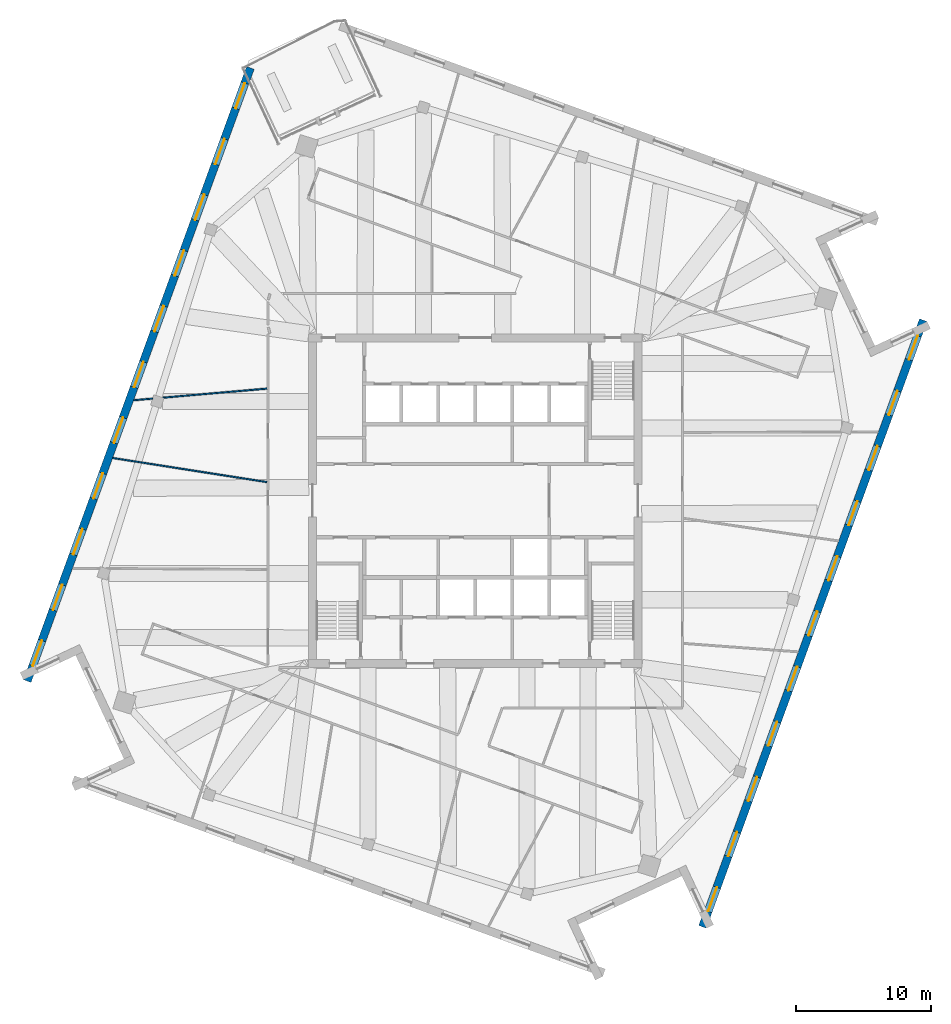
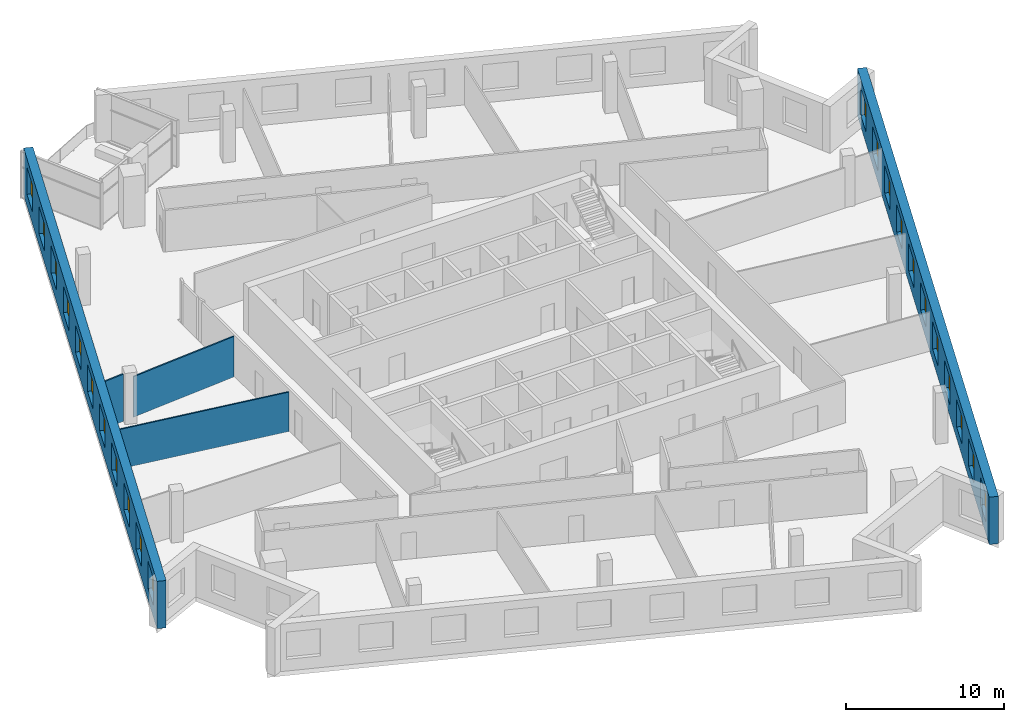
# One storey, part 8 of 13: 22 windows, 5 walls, 22 openings.
"""IFC4 building model written with IfcOpenShell, lengths in metres."""

from ifc_helpers import new_model, si_unit, direction, frame, frame_2d, origin, place, context, subcontext, project, spatial, rectangle, extrude, material, layer, layer_set, type_object, element, fill, save


model = new_model("IFC4")

# Units and contexts
model_context = context("Model", 3, precision=1e-05, world=origin(), true_north=direction((0.0, 1.0)))
body_context = subcontext(model_context, "Body", "Model", "MODEL_VIEW")
ifc_project = project(units=[si_unit("LENGTHUNIT", "METRE"), si_unit("AREAUNIT", "SQUARE_METRE"), si_unit("VOLUMEUNIT", "CUBIC_METRE"), si_unit("PLANEANGLEUNIT", "RADIAN"), si_unit("MASSUNIT", "GRAM", prefix="KILO")], contexts=[model_context])

# Site, building, storey
site_placement = place(None, origin())
site = spatial("IfcSite", under=ifc_project, at=site_placement, CompositionType="ELEMENT")
building_placement = place(site_placement, origin())
building = spatial("IfcBuilding", under=site, at=building_placement, Name="Dilmun Exchange Tower", CompositionType="ELEMENT")
storey_placement = place(building_placement, frame((0.0, 0.0, 312.5)))
storey = spatial("IfcBuildingStorey", under=building, at=storey_placement, Name="L74", CompositionType="ELEMENT", Elevation=312.5)

# Walls
ifc_material_1 = material(Name="Partition 100")
ifc_layer_1 = layer(ifc_material_1, 0.10009765625)
ifc_layer_set_1 = layer_set([ifc_layer_1], Name="Partition 100")
wall_type_1 = type_object("IfcWallType", Name="Partition 100", PredefinedType="PARTITIONING", material=ifc_layer_set_1)
wall_1_placement = place(storey_placement, frame((-26.939453125, 3.167236328125, 0.0), z_axis=(0.0, 0.0, 1.0), x_axis=(0.987997076622, -0.154472575515, 0.0)))
element("IfcWall", 1, at=wall_1_placement, inside=storey, type_object=wall_type_1, Name="Partition", PredefinedType="PARTITIONING", context=body_context, shape_type="SweptSolid", body=[
    extrude(rectangle(XDim=11.595947265625, YDim=0.10009765625, at=frame_2d((5.7978515625, 0.0))), origin(), (0.0, 0.0, 1.0), 3.050048828125),
])
wall_2_placement = place(storey_placement, frame((-25.376953125, 7.459716796875, 0.0), z_axis=(0.0, 0.0, 1.0), x_axis=(0.996220312329, 0.086862473502, 0.0)))
element("IfcWall", 2, at=wall_2_placement, inside=storey, type_object=wall_type_1, Name="Partition", PredefinedType="PARTITIONING", context=body_context, shape_type="SweptSolid", body=[
    extrude(rectangle(XDim=1.402587890625, YDim=0.10009765625, at=frame_2d((0.701171875, 0.0))), origin(), (0.0, 0.0, 1.0), 3.64990234375),
])
wall_3_placement = place(storey_placement, frame((-23.203369140625, 7.6494140625, 0.0), z_axis=(0.0, 0.0, 1.0), x_axis=(0.996219171953, 0.086875551407, 0.0)))
element("IfcWall", 3, at=wall_3_placement, inside=storey, type_object=wall_type_1, Name="Partition", PredefinedType="PARTITIONING", context=body_context, shape_type="SweptSolid", body=[
    extrude(rectangle(XDim=7.75341796875, YDim=0.10009765625, at=frame_2d((3.876708984375, 0.0))), origin(), (0.0, 0.0, 1.0), 3.1298828125),
])

# Wall, openings, windows
ifc_material_2 = material(Name="Precast concrete C50/60", Category="concrete")
ifc_layer_2 = layer(ifc_material_2, 0.60009765625)
ifc_layer_set_2 = layer_set([ifc_layer_2], Name="Precast concrete C50/60")
wall_type_2 = type_object("IfcWallType", Name="Precast stone-clad wall 600", PredefinedType="STANDARD", material=ifc_layer_set_2)
wall_4_placement = place(storey_placement, frame((-16.710205078125, 32.154296875, 0.0), z_axis=(0.0, 0.0, 1.0), x_axis=(-0.342021989849, -0.939691948704, 0.0)))
wall_4 = element("IfcWall", 4, at=wall_4_placement, inside=storey, type_object=wall_type_2, Name="Facade wall L74-03", PredefinedType="STANDARD", context=body_context, shape_type="SweptSolid", body=[
    extrude(rectangle(XDim=48.489501953125, YDim=0.60009765625, at=frame_2d((24.24462890625, 0.0))), origin(), (0.0, 0.0, 1.0), 3.64990234375),
])
opening_1_placement = place(wall_4_placement, frame((1.2041015625, 0.0, 0.89990234375)))
opening_1 = element("IfcOpeningElement", 5, at=opening_1_placement, cuts=wall_4, Name="Opening W200-210", PredefinedType="OPENING", context=body_context, shape_type="SweptSolid", body=[
    extrude(rectangle(XDim=2.0, YDim=2.10009765625, at=frame_2d((1.0, 1.050048828125))), frame((0.0, 0.31005859375, 0.0), z_axis=(0.0, -1.0, 0.0), x_axis=(1.0, 0.0, 0.0)), (0.0, 0.0, 1.0), 0.6201171875),
])
opening_2_placement = place(wall_4_placement, frame((5.6123046875, 0.0, 0.89990234375)))
opening_2 = element("IfcOpeningElement", 6, at=opening_2_placement, cuts=wall_4, Name="Opening W200-210", PredefinedType="OPENING", context=body_context, shape_type="SweptSolid", body=[
    extrude(rectangle(XDim=2.0, YDim=2.10009765625, at=frame_2d((1.0, 1.050048828125))), frame((0.0, 0.31005859375, 0.0), z_axis=(0.0, -1.0, 0.0), x_axis=(1.0, 0.0, 0.0)), (0.0, 0.0, 1.0), 0.6201171875),
])
opening_3_placement = place(wall_4_placement, frame((10.0205078125, 0.0, 0.89990234375)))
opening_3 = element("IfcOpeningElement", 7, at=opening_3_placement, cuts=wall_4, Name="Opening W200-210", PredefinedType="OPENING", context=body_context, shape_type="SweptSolid", body=[
    extrude(rectangle(XDim=2.0, YDim=2.10009765625, at=frame_2d((1.0, 1.050048828125))), frame((0.0, 0.31005859375, 0.0), z_axis=(0.0, -1.0, 0.0), x_axis=(1.0, 0.0, 0.0)), (0.0, 0.0, 1.0), 0.6201171875),
])
opening_4_placement = place(wall_4_placement, frame((14.428466796875, 0.0, 0.89990234375)))
opening_4 = element("IfcOpeningElement", 8, at=opening_4_placement, cuts=wall_4, Name="Opening W200-210", PredefinedType="OPENING", context=body_context, shape_type="SweptSolid", body=[
    extrude(rectangle(XDim=2.0, YDim=2.10009765625, at=frame_2d((1.0, 1.050048828125))), frame((0.0, 0.31005859375, 0.0), z_axis=(0.0, -1.0, 0.0), x_axis=(1.0, 0.0, 0.0)), (0.0, 0.0, 1.0), 0.6201171875),
])
opening_5_placement = place(wall_4_placement, frame((18.836669921875, 0.0, 0.89990234375)))
opening_5 = element("IfcOpeningElement", 9, at=opening_5_placement, cuts=wall_4, Name="Opening W200-210", PredefinedType="OPENING", context=body_context, shape_type="SweptSolid", body=[
    extrude(rectangle(XDim=2.0, YDim=2.10009765625, at=frame_2d((1.0, 1.050048828125))), frame((0.0, 0.31005859375, 0.0), z_axis=(0.0, -1.0, 0.0), x_axis=(1.0, 0.0, 0.0)), (0.0, 0.0, 1.0), 0.6201171875),
])
opening_6_placement = place(wall_4_placement, frame((23.244873046875, 0.0, 0.89990234375)))
opening_6 = element("IfcOpeningElement", 10, at=opening_6_placement, cuts=wall_4, Name="Opening W200-210", PredefinedType="OPENING", context=body_context, shape_type="SweptSolid", body=[
    extrude(rectangle(XDim=2.0, YDim=2.10009765625, at=frame_2d((1.0, 1.050048828125))), frame((0.0, 0.31005859375, 0.0), z_axis=(0.0, -1.0, 0.0), x_axis=(1.0, 0.0, 0.0)), (0.0, 0.0, 1.0), 0.6201171875),
])
opening_7_placement = place(wall_4_placement, frame((27.65283203125, 0.0, 0.89990234375)))
opening_7 = element("IfcOpeningElement", 11, at=opening_7_placement, cuts=wall_4, Name="Opening W200-210", PredefinedType="OPENING", context=body_context, shape_type="SweptSolid", body=[
    extrude(rectangle(XDim=2.0, YDim=2.10009765625, at=frame_2d((1.0, 1.050048828125))), frame((0.0, 0.31005859375, 0.0), z_axis=(0.0, -1.0, 0.0), x_axis=(1.0, 0.0, 0.0)), (0.0, 0.0, 1.0), 0.6201171875),
])
opening_8_placement = place(wall_4_placement, frame((32.06103515625, 0.0, 0.89990234375)))
opening_8 = element("IfcOpeningElement", 12, at=opening_8_placement, cuts=wall_4, Name="Opening W200-210", PredefinedType="OPENING", context=body_context, shape_type="SweptSolid", body=[
    extrude(rectangle(XDim=2.0, YDim=2.10009765625, at=frame_2d((1.0, 1.050048828125))), frame((0.0, 0.31005859375, 0.0), z_axis=(0.0, -1.0, 0.0), x_axis=(1.0, 0.0, 0.0)), (0.0, 0.0, 1.0), 0.6201171875),
])
opening_9_placement = place(wall_4_placement, frame((36.46923828125, 0.0, 0.89990234375)))
opening_9 = element("IfcOpeningElement", 13, at=opening_9_placement, cuts=wall_4, Name="Opening W200-210", PredefinedType="OPENING", context=body_context, shape_type="SweptSolid", body=[
    extrude(rectangle(XDim=2.0, YDim=2.10009765625, at=frame_2d((1.0, 1.050048828125))), frame((0.0, 0.31005859375, 0.0), z_axis=(0.0, -1.0, 0.0), x_axis=(1.0, 0.0, 0.0)), (0.0, 0.0, 1.0), 0.6201171875),
])
opening_10_placement = place(wall_4_placement, frame((40.87744140625, 0.0, 0.89990234375)))
opening_10 = element("IfcOpeningElement", 14, at=opening_10_placement, cuts=wall_4, Name="Opening W200-210", PredefinedType="OPENING", context=body_context, shape_type="SweptSolid", body=[
    extrude(rectangle(XDim=2.0, YDim=2.10009765625, at=frame_2d((1.0, 1.050048828125))), frame((0.0, 0.31005859375, 0.0), z_axis=(0.0, -1.0, 0.0), x_axis=(1.0, 0.0, 0.0)), (0.0, 0.0, 1.0), 0.6201171875),
])
opening_11_placement = place(wall_4_placement, frame((45.285400390625, 0.0, 0.89990234375)))
opening_11 = element("IfcOpeningElement", 15, at=opening_11_placement, cuts=wall_4, Name="Opening W200-210", PredefinedType="OPENING", context=body_context, shape_type="SweptSolid", body=[
    extrude(rectangle(XDim=2.0, YDim=2.10009765625, at=frame_2d((1.0, 1.050048828125))), frame((0.0, 0.31005859375, 0.0), z_axis=(0.0, -1.0, 0.0), x_axis=(1.0, 0.0, 0.0)), (0.0, 0.0, 1.0), 0.6201171875),
])
ifc_material_3 = material(Name="Clear low-emissivity glass in aluminium frame", Category="aluminium")
window_type_1 = type_object("IfcWindowType", Name="Punched window 2000 x 2100", PartitioningType="DOUBLE_PANEL_VERTICAL", PredefinedType="WINDOW", material=ifc_material_3)
window_1_placement = place(opening_1_placement, origin())
window_1 = element("IfcWindow", 16, at=window_1_placement, inside=storey, type_object=window_type_1, Name="Window 4.1", OverallHeight=2.10009765625, OverallWidth=2.0, PartitioningType="SINGLE_PANEL", PredefinedType="WINDOW", context=body_context, shape_type="SweptSolid", body=[
    extrude(rectangle(XDim=2.0, YDim=2.10009765625, at=frame_2d((1.0, 1.050048828125))), frame((0.0, 0.030029296875, 0.0), z_axis=(0.0, -1.0, 0.0), x_axis=(1.0, 0.0, 0.0)), (0.0, 0.0, 1.0), 0.06005859375),
])
fill(opening_1, window_1)
window_2_placement = place(opening_2_placement, origin())
window_2 = element("IfcWindow", 17, at=window_2_placement, inside=storey, type_object=window_type_1, Name="Window 4.2", OverallHeight=2.10009765625, OverallWidth=2.0, PartitioningType="SINGLE_PANEL", PredefinedType="WINDOW", context=body_context, shape_type="SweptSolid", body=[
    extrude(rectangle(XDim=2.0, YDim=2.10009765625, at=frame_2d((1.0, 1.050048828125))), frame((0.0, 0.030029296875, 0.0), z_axis=(0.0, -1.0, 0.0), x_axis=(1.0, 0.0, 0.0)), (0.0, 0.0, 1.0), 0.06005859375),
])
fill(opening_2, window_2)
window_3_placement = place(opening_3_placement, origin())
window_3 = element("IfcWindow", 18, at=window_3_placement, inside=storey, type_object=window_type_1, Name="Window 4.3", OverallHeight=2.10009765625, OverallWidth=2.0, PartitioningType="SINGLE_PANEL", PredefinedType="WINDOW", context=body_context, shape_type="SweptSolid", body=[
    extrude(rectangle(XDim=2.0, YDim=2.10009765625, at=frame_2d((1.0, 1.050048828125))), frame((0.0, 0.030029296875, 0.0), z_axis=(0.0, -1.0, 0.0), x_axis=(1.0, 0.0, 0.0)), (0.0, 0.0, 1.0), 0.06005859375),
])
fill(opening_3, window_3)
window_4_placement = place(opening_4_placement, origin())
window_4 = element("IfcWindow", 19, at=window_4_placement, inside=storey, type_object=window_type_1, Name="Window 4.4", OverallHeight=2.10009765625, OverallWidth=2.0, PartitioningType="SINGLE_PANEL", PredefinedType="WINDOW", context=body_context, shape_type="SweptSolid", body=[
    extrude(rectangle(XDim=2.0, YDim=2.10009765625, at=frame_2d((1.0, 1.050048828125))), frame((0.0, 0.030029296875, 0.0), z_axis=(0.0, -1.0, 0.0), x_axis=(1.0, 0.0, 0.0)), (0.0, 0.0, 1.0), 0.06005859375),
])
fill(opening_4, window_4)
window_5_placement = place(opening_5_placement, origin())
window_5 = element("IfcWindow", 20, at=window_5_placement, inside=storey, type_object=window_type_1, Name="Window 4.5", OverallHeight=2.10009765625, OverallWidth=2.0, PartitioningType="SINGLE_PANEL", PredefinedType="WINDOW", context=body_context, shape_type="SweptSolid", body=[
    extrude(rectangle(XDim=2.0, YDim=2.10009765625, at=frame_2d((1.0, 1.050048828125))), frame((0.0, 0.030029296875, 0.0), z_axis=(0.0, -1.0, 0.0), x_axis=(1.0, 0.0, 0.0)), (0.0, 0.0, 1.0), 0.06005859375),
])
fill(opening_5, window_5)
window_6_placement = place(opening_6_placement, origin())
window_6 = element("IfcWindow", 21, at=window_6_placement, inside=storey, type_object=window_type_1, Name="Window 4.6", OverallHeight=2.10009765625, OverallWidth=2.0, PartitioningType="SINGLE_PANEL", PredefinedType="WINDOW", context=body_context, shape_type="SweptSolid", body=[
    extrude(rectangle(XDim=2.0, YDim=2.10009765625, at=frame_2d((1.0, 1.050048828125))), frame((0.0, 0.030029296875, 0.0), z_axis=(0.0, -1.0, 0.0), x_axis=(1.0, 0.0, 0.0)), (0.0, 0.0, 1.0), 0.06005859375),
])
fill(opening_6, window_6)
window_7_placement = place(opening_7_placement, origin())
window_7 = element("IfcWindow", 22, at=window_7_placement, inside=storey, type_object=window_type_1, Name="Window 4.7", OverallHeight=2.10009765625, OverallWidth=2.0, PartitioningType="SINGLE_PANEL", PredefinedType="WINDOW", context=body_context, shape_type="SweptSolid", body=[
    extrude(rectangle(XDim=2.0, YDim=2.10009765625, at=frame_2d((1.0, 1.050048828125))), frame((0.0, 0.030029296875, 0.0), z_axis=(0.0, -1.0, 0.0), x_axis=(1.0, 0.0, 0.0)), (0.0, 0.0, 1.0), 0.06005859375),
])
fill(opening_7, window_7)
window_8_placement = place(opening_8_placement, origin())
window_8 = element("IfcWindow", 23, at=window_8_placement, inside=storey, type_object=window_type_1, Name="Window 4.8", OverallHeight=2.10009765625, OverallWidth=2.0, PartitioningType="SINGLE_PANEL", PredefinedType="WINDOW", context=body_context, shape_type="SweptSolid", body=[
    extrude(rectangle(XDim=2.0, YDim=2.10009765625, at=frame_2d((1.0, 1.050048828125))), frame((0.0, 0.030029296875, 0.0), z_axis=(0.0, -1.0, 0.0), x_axis=(1.0, 0.0, 0.0)), (0.0, 0.0, 1.0), 0.06005859375),
])
fill(opening_8, window_8)
window_9_placement = place(opening_9_placement, origin())
window_9 = element("IfcWindow", 24, at=window_9_placement, inside=storey, type_object=window_type_1, Name="Window 4.9", OverallHeight=2.10009765625, OverallWidth=2.0, PartitioningType="SINGLE_PANEL", PredefinedType="WINDOW", context=body_context, shape_type="SweptSolid", body=[
    extrude(rectangle(XDim=2.0, YDim=2.10009765625, at=frame_2d((1.0, 1.050048828125))), frame((0.0, 0.030029296875, 0.0), z_axis=(0.0, -1.0, 0.0), x_axis=(1.0, 0.0, 0.0)), (0.0, 0.0, 1.0), 0.06005859375),
])
fill(opening_9, window_9)
window_10_placement = place(opening_10_placement, origin())
window_10 = element("IfcWindow", 25, at=window_10_placement, inside=storey, type_object=window_type_1, Name="Window 4.10", OverallHeight=2.10009765625, OverallWidth=2.0, PartitioningType="SINGLE_PANEL", PredefinedType="WINDOW", context=body_context, shape_type="SweptSolid", body=[
    extrude(rectangle(XDim=2.0, YDim=2.10009765625, at=frame_2d((1.0, 1.050048828125))), frame((0.0, 0.030029296875, 0.0), z_axis=(0.0, -1.0, 0.0), x_axis=(1.0, 0.0, 0.0)), (0.0, 0.0, 1.0), 0.06005859375),
])
fill(opening_10, window_10)
window_11_placement = place(opening_11_placement, origin())
window_11 = element("IfcWindow", 26, at=window_11_placement, inside=storey, type_object=window_type_1, Name="Window 4.11", OverallHeight=2.10009765625, OverallWidth=2.0, PartitioningType="SINGLE_PANEL", PredefinedType="WINDOW", context=body_context, shape_type="SweptSolid", body=[
    extrude(rectangle(XDim=2.0, YDim=2.10009765625, at=frame_2d((1.0, 1.050048828125))), frame((0.0, 0.030029296875, 0.0), z_axis=(0.0, -1.0, 0.0), x_axis=(1.0, 0.0, 0.0)), (0.0, 0.0, 1.0), 0.06005859375),
])
fill(opening_11, window_11)

wall_5_placement = place(storey_placement, frame((16.885009765625, -31.6748046875, 0.0), z_axis=(0.0, 0.0, 1.0), x_axis=(0.342016786282, 0.939693842643, 0.0)))
wall_5 = element("IfcWall", 27, at=wall_5_placement, inside=storey, type_object=wall_type_2, Name="Facade wall L74-11", PredefinedType="STANDARD", context=body_context, shape_type="SweptSolid", body=[
    extrude(rectangle(XDim=47.979248046875, YDim=0.60009765625, at=frame_2d((23.98974609375, 0.0))), origin(), (0.0, 0.0, 1.0), 3.64990234375),
])
opening_12_placement = place(wall_5_placement, frame((1.23095703125, 0.0, 0.89990234375)))
opening_12 = element("IfcOpeningElement", 28, at=opening_12_placement, cuts=wall_5, Name="Opening W190-210", PredefinedType="OPENING", context=body_context, shape_type="SweptSolid", body=[
    extrude(rectangle(XDim=1.89990234375, YDim=2.10009765625, at=frame_2d((0.949951171875, 1.050048828125))), frame((0.0, 0.31005859375, 0.0), z_axis=(0.0, -1.0, 0.0), x_axis=(1.0, 0.0, 0.0)), (0.0, 0.0, 1.0), 0.6201171875),
])
opening_13_placement = place(wall_5_placement, frame((5.592529296875, 0.0, 0.89990234375)))
opening_13 = element("IfcOpeningElement", 29, at=opening_13_placement, cuts=wall_5, Name="Opening W190-210", PredefinedType="OPENING", context=body_context, shape_type="SweptSolid", body=[
    extrude(rectangle(XDim=1.89990234375, YDim=2.10009765625, at=frame_2d((0.949951171875, 1.050048828125))), frame((0.0, 0.31005859375, 0.0), z_axis=(0.0, -1.0, 0.0), x_axis=(1.0, 0.0, 0.0)), (0.0, 0.0, 1.0), 0.6201171875),
])
opening_14_placement = place(wall_5_placement, frame((9.954345703125, 0.0, 0.89990234375)))
opening_14 = element("IfcOpeningElement", 30, at=opening_14_placement, cuts=wall_5, Name="Opening W190-210", PredefinedType="OPENING", context=body_context, shape_type="SweptSolid", body=[
    extrude(rectangle(XDim=1.89990234375, YDim=2.10009765625, at=frame_2d((0.949951171875, 1.050048828125))), frame((0.0, 0.31005859375, 0.0), z_axis=(0.0, -1.0, 0.0), x_axis=(1.0, 0.0, 0.0)), (0.0, 0.0, 1.0), 0.6201171875),
])
opening_15_placement = place(wall_5_placement, frame((14.316162109375, 0.0, 0.89990234375)))
opening_15 = element("IfcOpeningElement", 31, at=opening_15_placement, cuts=wall_5, Name="Opening W190-210", PredefinedType="OPENING", context=body_context, shape_type="SweptSolid", body=[
    extrude(rectangle(XDim=1.89990234375, YDim=2.10009765625, at=frame_2d((0.949951171875, 1.050048828125))), frame((0.0, 0.31005859375, 0.0), z_axis=(0.0, -1.0, 0.0), x_axis=(1.0, 0.0, 0.0)), (0.0, 0.0, 1.0), 0.6201171875),
])
opening_16_placement = place(wall_5_placement, frame((18.677734375, 0.0, 0.89990234375)))
opening_16 = element("IfcOpeningElement", 32, at=opening_16_placement, cuts=wall_5, Name="Opening W190-210", PredefinedType="OPENING", context=body_context, shape_type="SweptSolid", body=[
    extrude(rectangle(XDim=1.89990234375, YDim=2.10009765625, at=frame_2d((0.949951171875, 1.050048828125))), frame((0.0, 0.31005859375, 0.0), z_axis=(0.0, -1.0, 0.0), x_axis=(1.0, 0.0, 0.0)), (0.0, 0.0, 1.0), 0.6201171875),
])
opening_17_placement = place(wall_5_placement, frame((23.03955078125, 0.0, 0.89990234375)))
opening_17 = element("IfcOpeningElement", 33, at=opening_17_placement, cuts=wall_5, Name="Opening W190-210", PredefinedType="OPENING", context=body_context, shape_type="SweptSolid", body=[
    extrude(rectangle(XDim=1.89990234375, YDim=2.10009765625, at=frame_2d((0.949951171875, 1.050048828125))), frame((0.0, 0.31005859375, 0.0), z_axis=(0.0, -1.0, 0.0), x_axis=(1.0, 0.0, 0.0)), (0.0, 0.0, 1.0), 0.6201171875),
])
opening_18_placement = place(wall_5_placement, frame((27.4013671875, 0.0, 0.89990234375)))
opening_18 = element("IfcOpeningElement", 34, at=opening_18_placement, cuts=wall_5, Name="Opening W190-210", PredefinedType="OPENING", context=body_context, shape_type="SweptSolid", body=[
    extrude(rectangle(XDim=1.89990234375, YDim=2.10009765625, at=frame_2d((0.949951171875, 1.050048828125))), frame((0.0, 0.31005859375, 0.0), z_axis=(0.0, -1.0, 0.0), x_axis=(1.0, 0.0, 0.0)), (0.0, 0.0, 1.0), 0.6201171875),
])
opening_19_placement = place(wall_5_placement, frame((31.76318359375, 0.0, 0.89990234375)))
opening_19 = element("IfcOpeningElement", 35, at=opening_19_placement, cuts=wall_5, Name="Opening W190-210", PredefinedType="OPENING", context=body_context, shape_type="SweptSolid", body=[
    extrude(rectangle(XDim=1.89990234375, YDim=2.10009765625, at=frame_2d((0.949951171875, 1.050048828125))), frame((0.0, 0.31005859375, 0.0), z_axis=(0.0, -1.0, 0.0), x_axis=(1.0, 0.0, 0.0)), (0.0, 0.0, 1.0), 0.6201171875),
])
opening_20_placement = place(wall_5_placement, frame((36.124755859375, 0.0, 0.89990234375)))
opening_20 = element("IfcOpeningElement", 36, at=opening_20_placement, cuts=wall_5, Name="Opening W190-210", PredefinedType="OPENING", context=body_context, shape_type="SweptSolid", body=[
    extrude(rectangle(XDim=1.89990234375, YDim=2.10009765625, at=frame_2d((0.949951171875, 1.050048828125))), frame((0.0, 0.31005859375, 0.0), z_axis=(0.0, -1.0, 0.0), x_axis=(1.0, 0.0, 0.0)), (0.0, 0.0, 1.0), 0.6201171875),
])
opening_21_placement = place(wall_5_placement, frame((40.486572265625, 0.0, 0.89990234375)))
opening_21 = element("IfcOpeningElement", 37, at=opening_21_placement, cuts=wall_5, Name="Opening W190-210", PredefinedType="OPENING", context=body_context, shape_type="SweptSolid", body=[
    extrude(rectangle(XDim=1.89990234375, YDim=2.10009765625, at=frame_2d((0.949951171875, 1.050048828125))), frame((0.0, 0.31005859375, 0.0), z_axis=(0.0, -1.0, 0.0), x_axis=(1.0, 0.0, 0.0)), (0.0, 0.0, 1.0), 0.6201171875),
])
opening_22_placement = place(wall_5_placement, frame((44.848388671875, 0.0, 0.89990234375)))
opening_22 = element("IfcOpeningElement", 38, at=opening_22_placement, cuts=wall_5, Name="Opening W190-210", PredefinedType="OPENING", context=body_context, shape_type="SweptSolid", body=[
    extrude(rectangle(XDim=1.89990234375, YDim=2.10009765625, at=frame_2d((0.949951171875, 1.050048828125))), frame((0.0, 0.31005859375, 0.0), z_axis=(0.0, -1.0, 0.0), x_axis=(1.0, 0.0, 0.0)), (0.0, 0.0, 1.0), 0.6201171875),
])
window_type_2 = type_object("IfcWindowType", Name="Punched window 1900 x 2100", PartitioningType="DOUBLE_PANEL_VERTICAL", PredefinedType="WINDOW", material=ifc_material_3)
window_12_placement = place(opening_12_placement, origin())
window_12 = element("IfcWindow", 39, at=window_12_placement, inside=storey, type_object=window_type_2, Name="Window 12.1", OverallHeight=2.10009765625, OverallWidth=1.89990234375, PartitioningType="SINGLE_PANEL", PredefinedType="WINDOW", context=body_context, shape_type="SweptSolid", body=[
    extrude(rectangle(XDim=1.89990234375, YDim=2.10009765625, at=frame_2d((0.949951171875, 1.050048828125))), frame((0.0, 0.030029296875, 0.0), z_axis=(0.0, -1.0, 0.0), x_axis=(1.0, 0.0, 0.0)), (0.0, 0.0, 1.0), 0.06005859375),
])
fill(opening_12, window_12)
window_13_placement = place(opening_13_placement, origin())
window_13 = element("IfcWindow", 40, at=window_13_placement, inside=storey, type_object=window_type_2, Name="Window 12.2", OverallHeight=2.10009765625, OverallWidth=1.89990234375, PartitioningType="SINGLE_PANEL", PredefinedType="WINDOW", context=body_context, shape_type="SweptSolid", body=[
    extrude(rectangle(XDim=1.89990234375, YDim=2.10009765625, at=frame_2d((0.949951171875, 1.050048828125))), frame((0.0, 0.030029296875, 0.0), z_axis=(0.0, -1.0, 0.0), x_axis=(1.0, 0.0, 0.0)), (0.0, 0.0, 1.0), 0.06005859375),
])
fill(opening_13, window_13)
window_14_placement = place(opening_14_placement, origin())
window_14 = element("IfcWindow", 41, at=window_14_placement, inside=storey, type_object=window_type_2, Name="Window 12.3", OverallHeight=2.10009765625, OverallWidth=1.89990234375, PartitioningType="SINGLE_PANEL", PredefinedType="WINDOW", context=body_context, shape_type="SweptSolid", body=[
    extrude(rectangle(XDim=1.89990234375, YDim=2.10009765625, at=frame_2d((0.949951171875, 1.050048828125))), frame((0.0, 0.030029296875, 0.0), z_axis=(0.0, -1.0, 0.0), x_axis=(1.0, 0.0, 0.0)), (0.0, 0.0, 1.0), 0.06005859375),
])
fill(opening_14, window_14)
window_15_placement = place(opening_15_placement, origin())
window_15 = element("IfcWindow", 42, at=window_15_placement, inside=storey, type_object=window_type_2, Name="Window 12.4", OverallHeight=2.10009765625, OverallWidth=1.89990234375, PartitioningType="SINGLE_PANEL", PredefinedType="WINDOW", context=body_context, shape_type="SweptSolid", body=[
    extrude(rectangle(XDim=1.89990234375, YDim=2.10009765625, at=frame_2d((0.949951171875, 1.050048828125))), frame((0.0, 0.030029296875, 0.0), z_axis=(0.0, -1.0, 0.0), x_axis=(1.0, 0.0, 0.0)), (0.0, 0.0, 1.0), 0.06005859375),
])
fill(opening_15, window_15)
window_16_placement = place(opening_16_placement, origin())
window_16 = element("IfcWindow", 43, at=window_16_placement, inside=storey, type_object=window_type_2, Name="Window 12.5", OverallHeight=2.10009765625, OverallWidth=1.89990234375, PartitioningType="SINGLE_PANEL", PredefinedType="WINDOW", context=body_context, shape_type="SweptSolid", body=[
    extrude(rectangle(XDim=1.89990234375, YDim=2.10009765625, at=frame_2d((0.949951171875, 1.050048828125))), frame((0.0, 0.030029296875, 0.0), z_axis=(0.0, -1.0, 0.0), x_axis=(1.0, 0.0, 0.0)), (0.0, 0.0, 1.0), 0.06005859375),
])
fill(opening_16, window_16)
window_17_placement = place(opening_17_placement, origin())
window_17 = element("IfcWindow", 44, at=window_17_placement, inside=storey, type_object=window_type_2, Name="Window 12.6", OverallHeight=2.10009765625, OverallWidth=1.89990234375, PartitioningType="SINGLE_PANEL", PredefinedType="WINDOW", context=body_context, shape_type="SweptSolid", body=[
    extrude(rectangle(XDim=1.89990234375, YDim=2.10009765625, at=frame_2d((0.949951171875, 1.050048828125))), frame((0.0, 0.030029296875, 0.0), z_axis=(0.0, -1.0, 0.0), x_axis=(1.0, 0.0, 0.0)), (0.0, 0.0, 1.0), 0.06005859375),
])
fill(opening_17, window_17)
window_18_placement = place(opening_18_placement, origin())
window_18 = element("IfcWindow", 45, at=window_18_placement, inside=storey, type_object=window_type_2, Name="Window 12.7", OverallHeight=2.10009765625, OverallWidth=1.89990234375, PartitioningType="SINGLE_PANEL", PredefinedType="WINDOW", context=body_context, shape_type="SweptSolid", body=[
    extrude(rectangle(XDim=1.89990234375, YDim=2.10009765625, at=frame_2d((0.949951171875, 1.050048828125))), frame((0.0, 0.030029296875, 0.0), z_axis=(0.0, -1.0, 0.0), x_axis=(1.0, 0.0, 0.0)), (0.0, 0.0, 1.0), 0.06005859375),
])
fill(opening_18, window_18)
window_19_placement = place(opening_19_placement, origin())
window_19 = element("IfcWindow", 46, at=window_19_placement, inside=storey, type_object=window_type_2, Name="Window 12.8", OverallHeight=2.10009765625, OverallWidth=1.89990234375, PartitioningType="SINGLE_PANEL", PredefinedType="WINDOW", context=body_context, shape_type="SweptSolid", body=[
    extrude(rectangle(XDim=1.89990234375, YDim=2.10009765625, at=frame_2d((0.949951171875, 1.050048828125))), frame((0.0, 0.030029296875, 0.0), z_axis=(0.0, -1.0, 0.0), x_axis=(1.0, 0.0, 0.0)), (0.0, 0.0, 1.0), 0.06005859375),
])
fill(opening_19, window_19)
window_20_placement = place(opening_20_placement, origin())
window_20 = element("IfcWindow", 47, at=window_20_placement, inside=storey, type_object=window_type_2, Name="Window 12.9", OverallHeight=2.10009765625, OverallWidth=1.89990234375, PartitioningType="SINGLE_PANEL", PredefinedType="WINDOW", context=body_context, shape_type="SweptSolid", body=[
    extrude(rectangle(XDim=1.89990234375, YDim=2.10009765625, at=frame_2d((0.949951171875, 1.050048828125))), frame((0.0, 0.030029296875, 0.0), z_axis=(0.0, -1.0, 0.0), x_axis=(1.0, 0.0, 0.0)), (0.0, 0.0, 1.0), 0.06005859375),
])
fill(opening_20, window_20)
window_21_placement = place(opening_21_placement, origin())
window_21 = element("IfcWindow", 48, at=window_21_placement, inside=storey, type_object=window_type_2, Name="Window 12.10", OverallHeight=2.10009765625, OverallWidth=1.89990234375, PartitioningType="SINGLE_PANEL", PredefinedType="WINDOW", context=body_context, shape_type="SweptSolid", body=[
    extrude(rectangle(XDim=1.89990234375, YDim=2.10009765625, at=frame_2d((0.949951171875, 1.050048828125))), frame((0.0, 0.030029296875, 0.0), z_axis=(0.0, -1.0, 0.0), x_axis=(1.0, 0.0, 0.0)), (0.0, 0.0, 1.0), 0.06005859375),
])
fill(opening_21, window_21)
window_22_placement = place(opening_22_placement, origin())
window_22 = element("IfcWindow", 49, at=window_22_placement, inside=storey, type_object=window_type_2, Name="Window 12.11", OverallHeight=2.10009765625, OverallWidth=1.89990234375, PartitioningType="SINGLE_PANEL", PredefinedType="WINDOW", context=body_context, shape_type="SweptSolid", body=[
    extrude(rectangle(XDim=1.89990234375, YDim=2.10009765625, at=frame_2d((0.949951171875, 1.050048828125))), frame((0.0, 0.030029296875, 0.0), z_axis=(0.0, -1.0, 0.0), x_axis=(1.0, 0.0, 0.0)), (0.0, 0.0, 1.0), 0.06005859375),
])
fill(opening_22, window_22)

save(model, "model.ifc")
